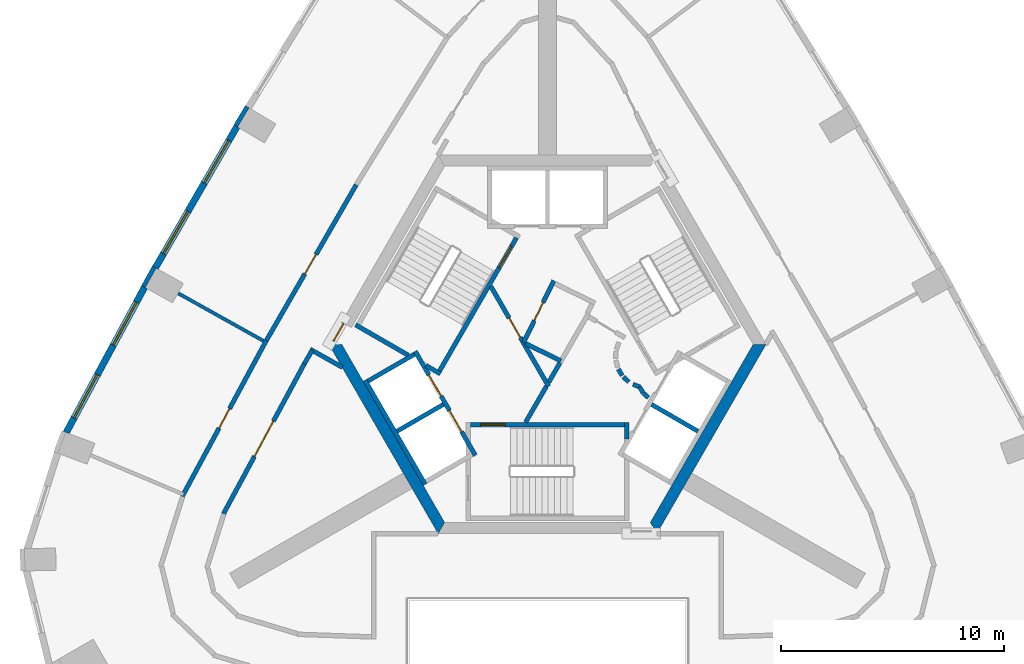
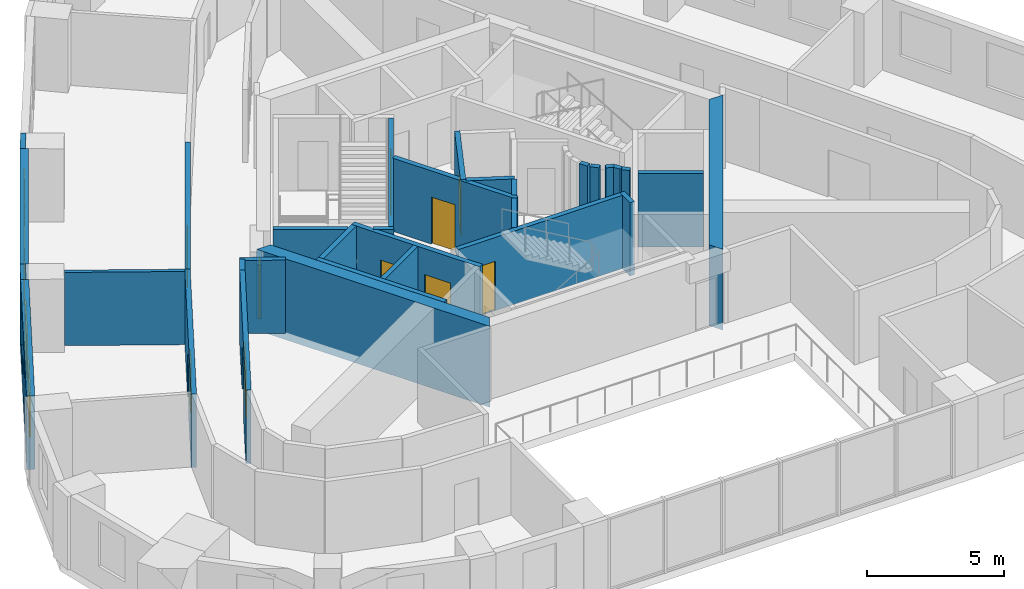
# One storey, part 4 of 8: 33 walls, 10 doors, 4 windows, 14 openings.
"""IFC4 building model written with IfcOpenShell, lengths in metres."""

from ifc_helpers import new_model, si_unit, direction, frame, frame_2d, origin, place, context, subcontext, project, spatial, polyline, rectangle, outline, extrude, material, layer, layer_set, type_object, element, fill, save


model = new_model("IFC4")

# Units and contexts
model_context = context("Model", 3, precision=1e-05, world=origin(), true_north=direction((0.0, 1.0)))
body_context = subcontext(model_context, "Body", "Model", "MODEL_VIEW")
ifc_project = project(units=[si_unit("LENGTHUNIT", "METRE"), si_unit("AREAUNIT", "SQUARE_METRE"), si_unit("VOLUMEUNIT", "CUBIC_METRE"), si_unit("PLANEANGLEUNIT", "RADIAN"), si_unit("MASSUNIT", "GRAM", prefix="KILO")], contexts=[model_context])

# Site, building, storey
site_placement = place(None, origin())
site = spatial("IfcSite", under=ifc_project, at=site_placement, CompositionType="ELEMENT")
building_placement = place(site_placement, origin())
building = spatial("IfcBuilding", under=site, at=building_placement, Name="Entoto Arch Interchange Tower", CompositionType="ELEMENT")
storey_placement = place(building_placement, frame((0.0, 0.0, 311.60009765625)))
storey = spatial("IfcBuildingStorey", under=building, at=storey_placement, Name="L73", CompositionType="ELEMENT", Elevation=311.60009765625)

# Wall, opening, door
ifc_material_1 = material(Name="Reinforced concrete C40/50", Category="concrete")
ifc_layer_1 = layer(ifc_material_1, 0.199951171875)
ifc_layer_set_1 = layer_set([ifc_layer_1], Name="Reinforced concrete C40/50")
wall_type_1 = type_object("IfcWallType", Name="CORE GAP INFILL WALL", PredefinedType="PARTITIONING", material=ifc_layer_set_1)
wall_1_placement = place(storey_placement, frame((-9.14990234375, 3.451904296875, 0.0), z_axis=(0.0, 0.0, 1.0), x_axis=(-0.500079945886, -0.865979242085, 0.0)))
wall_1 = element("IfcWall", 1, at=wall_1_placement, inside=storey, type_object=wall_type_1, Name="wall:L73:gap3", PredefinedType="PARTITIONING", context=body_context, shape_type="SweptSolid", body=[
    extrude(rectangle(XDim=0.926025390625, YDim=0.199951171875, at=frame_2d((0.462890625, 0.0))), origin(), (0.0, 0.0, 1.0), 2.39990234375),
])
opening_1_placement = place(wall_1_placement, frame((0.01708984375, 0.0, 0.0)))
opening_1 = element("IfcOpeningElement", 2, at=opening_1_placement, cuts=wall_1, Name="Opening L73-D93", PredefinedType="OPENING", context=body_context, shape_type="SweptSolid", body=[
    extrude(rectangle(XDim=0.89990234375, YDim=2.10009765625, at=frame_2d((0.449951171875, 1.050048828125))), frame((0.0, 0.10986328125, 0.0), z_axis=(0.0, -1.0, 0.0), x_axis=(1.0, 0.0, 0.0)), (0.0, 0.0, 1.0), 0.219970703125),
])
ifc_material_2 = material(Name="Fire-rated Steel S235 door and frame", Category="steel")
door_type_1 = type_object("IfcDoorType", Name="DOOR FD-09 900x2100", OperationType="SINGLE_SWING_LEFT", PredefinedType="DOOR", material=ifc_material_2)
door_1_placement = place(opening_1_placement, origin())
door_1 = element("IfcDoor", 3, at=door_1_placement, inside=storey, type_object=door_type_1, Name="door:L73:gap3", OperationType="SINGLE_SWING_LEFT", OverallHeight=2.10009765625, OverallWidth=0.89990234375, PredefinedType="DOOR", context=body_context, shape_type="SweptSolid", body=[
    extrude(rectangle(XDim=0.89990234375, YDim=2.10009765625, at=frame_2d((0.449951171875, 1.050048828125))), frame((0.0, 0.02490234375, 0.0), z_axis=(0.0, -1.0, 0.0), x_axis=(1.0, 0.0, 0.0)), (0.0, 0.0, 1.0), 0.050048828125),
])
fill(opening_1, door_1)

# Walls
ifc_material_3 = material(Name="Concrete C40/50", Category="concrete")
ifc_layer_2 = layer(ifc_material_3, 0.5)
ifc_layer_set_2 = layer_set([ifc_layer_2], Name="Concrete C40/50")
wall_type_2 = type_object("IfcWallType", Name="Core wall 500 C40/50", PredefinedType="SHEAR", material=ifc_layer_set_2)
wall_2_placement = place(storey_placement, frame((0.0, 0.0, -0.340087890625)))
element("IfcWall", 4, at=wall_2_placement, inside=storey, type_object=wall_type_2, Name="Core wall SW L73", PredefinedType="SHEAR", context=body_context, shape_type="SweptSolid", body=[
    extrude(outline(polyline([(-9.81494140625, 2.5), (-4.906982421875, -6.0), (-4.618896484375, -5.5), (-9.238037109375, 2.5), (-9.81494140625, 2.5)])), origin(), (0.0, 0.0, 1.0), 3.60009765625),
])
wall_3_placement = place(storey_placement, frame((0.0, 0.0, -0.340087890625)))
element("IfcWall", 5, at=wall_3_placement, inside=storey, type_object=wall_type_2, Name="Core wall SE L73", PredefinedType="SHEAR", context=body_context, shape_type="SweptSolid", body=[
    extrude(outline(polyline([(4.906982421875, -6.0), (9.81494140625, 2.5), (9.238037109375, 2.5), (4.618896484375, -5.5), (4.906982421875, -6.0)])), origin(), (0.0, 0.0, 1.0), 3.60009765625),
])

# Wall, openings, doors
ifc_layer_3 = layer(ifc_material_3, 0.199951171875)
ifc_layer_set_3 = layer_set([ifc_layer_3], Name="Concrete C40/50")
wall_type_3 = type_object("IfcWallType", Name="LIFT SHAFT WALL 200", PredefinedType="STANDARD", material=ifc_layer_set_3)
wall_4_placement = place(storey_placement, frame((-5.93994140625, 2.18798828125, 0.0), z_axis=(0.0, 0.0, 1.0), x_axis=(0.500034260056, -0.866005622828, 0.0)))
wall_4 = element("IfcWall", 6, at=wall_4_placement, inside=storey, type_object=wall_type_3, Name="Shaft wall SW1 front", PredefinedType="STANDARD", context=body_context, shape_type="SweptSolid", body=[
    extrude(rectangle(XDim=5.3994140625, YDim=0.199951171875, at=frame_2d((2.69970703125, 0.0))), origin(), (0.0, 0.0, 1.0), 3.260009765625),
])
opening_2_placement = place(wall_4_placement, frame((3.074951171875, 0.0, 0.0)))
opening_2 = element("IfcOpeningElement", 7, at=opening_2_placement, cuts=wall_4, Name="Opening LD-HR4-L73", PredefinedType="OPENING", context=body_context, shape_type="SweptSolid", body=[
    extrude(rectangle(XDim=1.10009765625, YDim=2.10009765625, at=frame_2d((0.550048828125, 1.050048828125))), frame((0.0, 0.10986328125, 0.0), z_axis=(0.0, -1.0, 0.0), x_axis=(1.0, 0.0, 0.0)), (0.0, 0.0, 1.0), 0.219970703125),
])
opening_3_placement = place(wall_4_placement, frame((1.22509765625, 0.0, 0.0)))
opening_3 = element("IfcOpeningElement", 8, at=opening_3_placement, cuts=wall_4, Name="Opening LD-FF2-L73", PredefinedType="OPENING", context=body_context, shape_type="SweptSolid", body=[
    extrude(rectangle(XDim=1.10009765625, YDim=2.10009765625, at=frame_2d((0.550048828125, 1.050048828125))), frame((0.0, 0.10986328125, 0.0), z_axis=(0.0, -1.0, 0.0), x_axis=(1.0, 0.0, 0.0)), (0.0, 0.0, 1.0), 0.219970703125),
])
ifc_material_4 = material(Name="Stainless steel 1.4301 panels", Category="steel")
door_type_2 = type_object("IfcDoorType", Name="LIFT LANDING DOOR LD1 1100x2100", OperationType="SLIDING_TO_LEFT", PredefinedType="DOOR", material=ifc_material_4)
door_2_placement = place(opening_2_placement, origin())
door_2 = element("IfcDoor", 9, at=door_2_placement, inside=storey, type_object=door_type_2, Name="Lift landing door HR4 L73", OperationType="SLIDING_TO_LEFT", OverallHeight=2.10009765625, OverallWidth=1.10009765625, PredefinedType="DOOR", context=body_context, shape_type="SweptSolid", body=[
    extrude(rectangle(XDim=1.10009765625, YDim=2.10009765625, at=frame_2d((0.550048828125, 1.050048828125))), frame((0.0, 0.02490234375, 0.0), z_axis=(0.0, -1.0, 0.0), x_axis=(1.0, 0.0, 0.0)), (0.0, 0.0, 1.0), 0.050048828125),
])
fill(opening_2, door_2)
door_3_placement = place(opening_3_placement, origin())
door_3 = element("IfcDoor", 10, at=door_3_placement, inside=storey, type_object=door_type_2, Name="Lift landing door FF2 L73", OperationType="SLIDING_TO_LEFT", OverallHeight=2.10009765625, OverallWidth=1.10009765625, PredefinedType="DOOR", context=body_context, shape_type="SweptSolid", body=[
    extrude(rectangle(XDim=1.10009765625, YDim=2.10009765625, at=frame_2d((0.550048828125, 1.050048828125))), frame((0.0, 0.02490234375, 0.0), z_axis=(0.0, -1.0, 0.0), x_axis=(1.0, 0.0, 0.0)), (0.0, 0.0, 1.0), 0.050048828125),
])
fill(opening_3, door_3)

# Walls
wall_5_placement = place(storey_placement, frame((-8.19189453125, 0.887939453125, 0.0), z_axis=(0.0, 0.0, 1.0), x_axis=(0.500034260056, -0.866005622828, 0.0)))
element("IfcWall", 11, at=wall_5_placement, inside=storey, type_object=wall_type_3, Name="Shaft wall SW1 back", PredefinedType="STANDARD", context=body_context, shape_type="SweptSolid", body=[
    extrude(rectangle(XDim=5.3994140625, YDim=0.199951171875, at=frame_2d((2.69970703125, 0.0))), origin(), (0.0, 0.0, 1.0), 3.260009765625),
])
for number, where, z_axis, x_axis, name in (
    (12, (-5.97705078125, 2.052001953125, 0.0), (0.0, 0.0, 1.0), (-0.865973769406, -0.500089422704, 0.0), "Shaft wall SW1 cross 1"),
    (13, (-4.677001953125, -0.199951171875, 0.0), (0.0, 0.0, 1.0), (-0.865973769406, -0.500089422704, 0.0), "Shaft wall SW1 cross 2"),
    (14, (4.677001953125, -0.199951171875, 0.0), (0.0, 0.0, 1.0), (0.865973769406, -0.500089422704, 0.0), "Shaft wall SE1 cross 2"),
):
    element("IfcWall", number, at=place(storey_placement, frame(where, z_axis=z_axis, x_axis=x_axis)), inside=storey, type_object=wall_type_3, Name=name, PredefinedType="STANDARD", context=body_context, shape_type="SweptSolid", body=[
        extrude(rectangle(XDim=2.3994140625, YDim=0.199951171875, at=frame_2d((1.19970703125, 0.0))), origin(), (0.0, 0.0, 1.0), 3.260009765625),
    ])
ifc_material_5 = material(Name="Gypsum board partition on steel studs", Category="steel")
ifc_layer_4 = layer(ifc_material_5, 0.14990234375)
ifc_layer_set_4 = layer_set([ifc_layer_4], Name="Gypsum board partition on steel studs")
wall_type_4 = type_object("IfcWallType", Name="PARTITION 150", PredefinedType="PARTITIONING", material=ifc_layer_set_4)
wall_6_placement = place(storey_placement, frame((-12.7509765625, 2.654052734375, 0.0), z_axis=(0.0, 0.0, 1.0), x_axis=(-0.873277679945, 0.487222837837, 0.0)))
element("IfcWall", 15, at=wall_6_placement, inside=storey, type_object=wall_type_4, Name="wall:L73:p073", PredefinedType="PARTITIONING", context=body_context, shape_type="SweptSolid", body=[
    extrude(rectangle(XDim=4.3798828125, YDim=0.14990234375, at=frame_2d((2.18994140625, 0.0))), origin(), (0.0, 0.0, 1.0), 3.260009765625),
])

# Wall, opening, door
ifc_layer_5 = layer(ifc_material_5, 0.199951171875)
ifc_layer_set_5 = layer_set([ifc_layer_5], Name="Gypsum board partition on steel studs")
wall_type_5 = type_object("IfcWallType", Name="PARTITION 200", PredefinedType="PARTITIONING", material=ifc_layer_set_5)
wall_7_placement = place(storey_placement, frame((0.284912109375, 5.364990234375, 0.0), z_axis=(0.0, 0.0, 1.0), x_axis=(-0.43840190643, -0.898779043168, 0.0)))
wall_7 = element("IfcWall", 16, at=wall_7_placement, inside=storey, type_object=wall_type_5, Name="wall:L73:p004", PredefinedType="PARTITIONING", context=body_context, shape_type="SweptSolid", body=[
    extrude(rectangle(XDim=3.099609375, YDim=0.199951171875, at=frame_2d((1.5498046875, 0.0))), origin(), (0.0, 0.0, 1.0), 3.260009765625),
])
opening_4_placement = place(wall_7_placement, frame((1.10009765625, 0.0, 0.0)))
opening_4 = element("IfcOpeningElement", 17, at=opening_4_placement, cuts=wall_7, Name="Opening L73-D14", PredefinedType="OPENING", context=body_context, shape_type="SweptSolid", body=[
    extrude(rectangle(XDim=0.89990234375, YDim=2.10009765625, at=frame_2d((0.449951171875, 1.050048828125))), frame((0.0, 0.10986328125, 0.0), z_axis=(0.0, -1.0, 0.0), x_axis=(1.0, 0.0, 0.0)), (0.0, 0.0, 1.0), 0.219970703125),
])
ifc_material_6 = material(Name="Timber door leaf in Steel S235 frame", Category="steel")
door_type_3 = type_object("IfcDoorType", Name="DOOR DS-09 900x2100", OperationType="SINGLE_SWING_LEFT", PredefinedType="DOOR", material=ifc_material_6)
door_4_placement = place(opening_4_placement, origin())
door_4 = element("IfcDoor", 18, at=door_4_placement, inside=storey, type_object=door_type_3, Name="door:L73:14", OperationType="SINGLE_SWING_RIGHT", OverallHeight=2.10009765625, OverallWidth=0.89990234375, PredefinedType="DOOR", context=body_context, shape_type="SweptSolid", body=[
    extrude(rectangle(XDim=0.89990234375, YDim=2.10009765625, at=frame_2d((0.449951171875, 1.050048828125))), frame((0.0, 0.02490234375, 0.0), z_axis=(0.0, -1.0, 0.0), x_axis=(1.0, 0.0, 0.0)), (0.0, 0.0, 1.0), 0.050048828125),
])
fill(opening_4, door_4)

# Walls
wall_8_placement = place(storey_placement, frame((-0.98388671875, 2.534912109375, 0.0), z_axis=(0.0, 0.0, 1.0), x_axis=(0.898707583217, -0.438548378025, 0.0)))
element("IfcWall", 19, at=wall_8_placement, inside=storey, type_object=wall_type_5, Name="wall:L73:p005", PredefinedType="PARTITIONING", context=body_context, shape_type="SweptSolid", body=[
    extrude(rectangle(XDim=1.773681640625, YDim=0.199951171875, at=frame_2d((0.88671875, 0.0))), origin(), (0.0, 0.0, 1.0), 3.260009765625),
])
wall_9_placement = place(storey_placement, frame((-9.202880859375, 1.465087890625, 0.0), z_axis=(0.0, 0.0, 1.0), x_axis=(-0.872341127106, 0.488897696823, 0.0)))
element("IfcWall", 20, at=wall_9_placement, inside=storey, type_object=wall_type_5, Name="wall:L73:p022", PredefinedType="PARTITIONING", context=body_context, shape_type="SweptSolid", body=[
    extrude(rectangle(XDim=1.6669921875, YDim=0.199951171875, at=frame_2d((0.83349609375, 0.0))), origin(), (0.0, 0.0, 1.0), 3.260009765625),
])
wall_10_placement = place(storey_placement, frame((-10.570068359375, 2.23193359375, 0.0), z_axis=(0.0, 0.0, 1.0), x_axis=(-0.500037208726, -0.86600392025, 0.0)))
element("IfcWall", 21, at=wall_10_placement, inside=storey, type_object=wall_type_5, Name="wall:L73:p023", PredefinedType="PARTITIONING", context=body_context, shape_type="SweptSolid", body=[
    extrude(rectangle(XDim=0.69384765625, YDim=0.199951171875, at=frame_2d((0.346923828125, 0.0))), origin(), (0.0, 0.0, 1.0), 3.260009765625),
])

# Wall, opening, door
wall_11_placement = place(storey_placement, frame((-10.9169921875, 1.631103515625, 0.0), z_axis=(0.0, 0.0, 1.0), x_axis=(-0.47449538478, -0.880257990491, 0.0)))
wall_11 = element("IfcWall", 22, at=wall_11_placement, inside=storey, type_object=wall_type_5, Name="wall:L73:p024", PredefinedType="PARTITIONING", context=body_context, shape_type="SweptSolid", body=[
    extrude(rectangle(XDim=7.654541015625, YDim=0.199951171875, at=frame_2d((3.8271484375, 0.0))), origin(), (0.0, 0.0, 1.0), 3.260009765625),
])
opening_5_placement = place(wall_11_placement, frame((2.927001953125, 0.0, 0.0)))
opening_5 = element("IfcOpeningElement", 23, at=opening_5_placement, cuts=wall_11, Name="Opening L73-D11", PredefinedType="OPENING", context=body_context, shape_type="SweptSolid", body=[
    extrude(rectangle(XDim=1.800048828125, YDim=2.10009765625, at=frame_2d((0.89990234375, 1.050048828125))), frame((0.0, 0.10986328125, 0.0), z_axis=(0.0, -1.0, 0.0), x_axis=(1.0, 0.0, 0.0)), (0.0, 0.0, 1.0), 0.219970703125),
])
door_type_4 = type_object("IfcDoorType", Name="DOOR DD-18 1800x2100", OperationType="DOUBLE_DOOR_SINGLE_SWING", PredefinedType="DOOR", material=ifc_material_6)
door_5_placement = place(opening_5_placement, origin())
door_5 = element("IfcDoor", 24, at=door_5_placement, inside=storey, type_object=door_type_4, Name="door:L73:11", OperationType="DOUBLE_DOOR_SINGLE_SWING", OverallHeight=2.10009765625, OverallWidth=1.800048828125, PredefinedType="DOOR", context=body_context, shape_type="SweptSolid", body=[
    extrude(rectangle(XDim=1.800048828125, YDim=2.10009765625, at=frame_2d((0.89990234375, 1.050048828125))), frame((0.0, 0.02490234375, 0.0), z_axis=(0.0, -1.0, 0.0), x_axis=(1.0, 0.0, 0.0)), (0.0, 0.0, 1.0), 0.050048828125),
])
fill(opening_5, door_5)

wall_12_placement = place(storey_placement, frame((-12.700927734375, 2.5400390625, 0.0), z_axis=(0.0, 0.0, 1.0), x_axis=(0.499946799636, 0.86605611685, 0.0)))
wall_12 = element("IfcWall", 25, at=wall_12_placement, inside=storey, type_object=wall_type_5, Name="wall:L73:p042", PredefinedType="PARTITIONING", context=body_context, shape_type="SweptSolid", body=[
    extrude(rectangle(XDim=8.22705078125, YDim=0.199951171875, at=frame_2d((4.113525390625, 0.0))), origin(), (0.0, 0.0, 1.0), 3.260009765625),
])
opening_6_placement = place(wall_12_placement, frame((3.613037109375, 0.0, 0.0)))
opening_6 = element("IfcOpeningElement", 26, at=opening_6_placement, cuts=wall_12, Name="Opening L73-D05", PredefinedType="OPENING", context=body_context, shape_type="SweptSolid", body=[
    extrude(rectangle(XDim=1.0, YDim=2.10009765625, at=frame_2d((0.5, 1.050048828125))), frame((0.0, 0.10986328125, 0.0), z_axis=(0.0, -1.0, 0.0), x_axis=(1.0, 0.0, 0.0)), (0.0, 0.0, 1.0), 0.219970703125),
])
door_type_5 = type_object("IfcDoorType", Name="DOOR DS-10 1000x2100", OperationType="SINGLE_SWING_LEFT", PredefinedType="DOOR", material=ifc_material_6)
door_6_placement = place(opening_6_placement, origin())
door_6 = element("IfcDoor", 27, at=door_6_placement, inside=storey, type_object=door_type_5, Name="door:L73:05", OperationType="SINGLE_SWING_RIGHT", OverallHeight=2.10009765625, OverallWidth=1.0, PredefinedType="DOOR", context=body_context, shape_type="SweptSolid", body=[
    extrude(rectangle(XDim=1.0, YDim=2.10009765625, at=frame_2d((0.5, 1.050048828125))), frame((0.0, 0.02490234375, 0.0), z_axis=(0.0, -1.0, 0.0), x_axis=(1.0, 0.0, 0.0)), (0.0, 0.0, 1.0), 0.050048828125),
])
fill(opening_6, door_6)

wall_13_placement = place(storey_placement, frame((-16.39892578125, -4.324951171875, 0.0), z_axis=(0.0, 0.0, 1.0), x_axis=(0.474489967676, 0.880260910512, 0.0)))
wall_13 = element("IfcWall", 28, at=wall_13_placement, inside=storey, type_object=wall_type_5, Name="wall:L73:p044", PredefinedType="PARTITIONING", context=body_context, shape_type="SweptSolid", body=[
    extrude(rectangle(XDim=7.947509765625, YDim=0.199951171875, at=frame_2d((3.9736328125, 0.0))), origin(), (0.0, 0.0, 1.0), 3.260009765625),
])
opening_7_placement = place(wall_13_placement, frame((3.47412109375, 0.0, 0.0)))
opening_7 = element("IfcOpeningElement", 29, at=opening_7_placement, cuts=wall_13, Name="Opening L73-D06", PredefinedType="OPENING", context=body_context, shape_type="SweptSolid", body=[
    extrude(rectangle(XDim=1.0, YDim=2.10009765625, at=frame_2d((0.5, 1.050048828125))), frame((0.0, 0.10986328125, 0.0), z_axis=(0.0, -1.0, 0.0), x_axis=(1.0, 0.0, 0.0)), (0.0, 0.0, 1.0), 0.219970703125),
])
door_7_placement = place(opening_7_placement, origin())
door_7 = element("IfcDoor", 30, at=door_7_placement, inside=storey, type_object=door_type_5, Name="door:L73:06", OperationType="SINGLE_SWING_LEFT", OverallHeight=2.10009765625, OverallWidth=1.0, PredefinedType="DOOR", context=body_context, shape_type="SweptSolid", body=[
    extrude(rectangle(XDim=1.0, YDim=2.10009765625, at=frame_2d((0.5, 1.050048828125))), frame((0.0, 0.02490234375, 0.0), z_axis=(0.0, -1.0, 0.0), x_axis=(1.0, 0.0, 0.0)), (0.0, 0.0, 1.0), 0.050048828125),
])
fill(opening_7, door_7)

# Walls
wall_14_placement = place(storey_placement, frame((-0.98193359375, -1.0, 0.0), z_axis=(0.0, 0.0, 1.0), x_axis=(0.50024047865, 0.865886518847, 0.0)))
element("IfcWall", 31, at=wall_14_placement, inside=storey, type_object=wall_type_5, Name="wall:L73:p050", PredefinedType="PARTITIONING", context=body_context, shape_type="SweptSolid", body=[
    extrude(rectangle(XDim=1.86279296875, YDim=0.199951171875, at=frame_2d((0.931396484375, 0.0))), origin(), (0.0, 0.0, 1.0), 3.260009765625),
])
wall_15_placement = place(storey_placement, frame((0.050048828125, 0.787109375, 0.0), z_axis=(0.0, 0.0, 1.0), x_axis=(0.499819111317, 0.866129814729, 0.0)))
element("IfcWall", 32, at=wall_15_placement, inside=storey, type_object=wall_type_5, Name="wall:L73:p051", PredefinedType="PARTITIONING", context=body_context, shape_type="SweptSolid", body=[
    extrude(rectangle(XDim=1.0205078125, YDim=0.199951171875, at=frame_2d((0.51025390625, 0.0))), origin(), (0.0, 0.0, 1.0), 3.260009765625),
])
for number, where, z_axis, x_axis, name in (
    (33, (3.181884765625, 1.387939453125, 0.0), (0.0, 0.0, 1.0), (0.512474702713, -0.85870232274, 0.0), "wall:L73:p056"),
    (34, (3.404052734375, 1.0390625, 0.0), (0.0, 0.0, 1.0), (0.740267097712, -0.672312891476, 0.0), "wall:L73:p057"),
):
    element("IfcWall", number, at=place(storey_placement, frame(where, z_axis=z_axis, x_axis=x_axis)), inside=storey, type_object=wall_type_5, Name=name, PredefinedType="PARTITIONING", context=body_context, shape_type="SweptSolid", body=[
        extrude(rectangle(XDim=0.337646484375, YDim=0.199951171875, at=frame_2d((0.1689453125, 0.0))), origin(), (0.0, 0.0, 1.0), 3.260009765625),
    ])
wall_16_placement = place(storey_placement, frame((3.837890625, 0.701904296875, 0.0), z_axis=(0.0, 0.0, 1.0), x_axis=(0.941035081519, -0.338308993895, 0.0)))
element("IfcWall", 35, at=wall_16_placement, inside=storey, type_object=wall_type_5, Name="wall:L73:p058", PredefinedType="PARTITIONING", context=body_context, shape_type="SweptSolid", body=[
    extrude(rectangle(XDim=0.3369140625, YDim=0.199951171875, at=frame_2d((0.16845703125, 0.0))), origin(), (0.0, 0.0, 1.0), 3.260009765625),
])
wall_17_placement = place(storey_placement, frame((4.132080078125, 0.593017578125, 0.0), z_axis=(0.0, 0.0, 1.0), x_axis=(0.513561617048, -0.858052717201, 0.0)))
element("IfcWall", 36, at=wall_17_placement, inside=storey, type_object=wall_type_5, Name="wall:L73:p059", PredefinedType="PARTITIONING", context=body_context, shape_type="SweptSolid", body=[
    extrude(rectangle(XDim=0.3076171875, YDim=0.199951171875, at=frame_2d((0.15380859375, 0.0))), origin(), (0.0, 0.0, 1.0), 3.260009765625),
])
wall_18_placement = place(storey_placement, frame((4.301025390625, 0.31494140625, 0.0), z_axis=(0.0, 0.0, 1.0), x_axis=(0.741798017506, -0.670623367639, 0.0)))
element("IfcWall", 37, at=wall_18_placement, inside=storey, type_object=wall_type_5, Name="wall:L73:p060", PredefinedType="PARTITIONING", context=body_context, shape_type="SweptSolid", body=[
    extrude(rectangle(XDim=0.30859375, YDim=0.199951171875, at=frame_2d((0.154296875, 0.0))), origin(), (0.0, 0.0, 1.0), 3.260009765625),
])

# Wall, opening, door
wall_19_placement = place(storey_placement, frame((-2.5400390625, 5.10009765625, 0.0), z_axis=(0.0, 0.0, 1.0), x_axis=(0.499925051871, -0.866068670783, 0.0)))
wall_19 = element("IfcWall", 38, at=wall_19_placement, inside=storey, type_object=wall_type_5, Name="wall:L73:p061", PredefinedType="PARTITIONING", context=body_context, shape_type="SweptSolid", body=[
    extrude(rectangle(XDim=5.180908203125, YDim=0.199951171875, at=frame_2d((2.59033203125, 0.0))), origin(), (0.0, 0.0, 1.0), 3.260009765625),
])
opening_8_placement = place(wall_19_placement, frame((1.639892578125, 0.0, 0.0)))
opening_8 = element("IfcOpeningElement", 39, at=opening_8_placement, cuts=wall_19, Name="Opening L73-D13", PredefinedType="OPENING", context=body_context, shape_type="SweptSolid", body=[
    extrude(rectangle(XDim=1.0, YDim=2.10009765625, at=frame_2d((0.5, 1.050048828125))), frame((0.0, 0.10986328125, 0.0), z_axis=(0.0, -1.0, 0.0), x_axis=(1.0, 0.0, 0.0)), (0.0, 0.0, 1.0), 0.219970703125),
])
door_type_6 = type_object("IfcDoorType", Name="DOOR FD-10 1000x2100", OperationType="SINGLE_SWING_LEFT", PredefinedType="DOOR", material=ifc_material_2)
door_8_placement = place(opening_8_placement, origin())
door_8 = element("IfcDoor", 40, at=door_8_placement, inside=storey, type_object=door_type_6, Name="door:L73:13", OperationType="SINGLE_SWING_RIGHT", OverallHeight=2.10009765625, OverallWidth=1.0, PredefinedType="DOOR", context=body_context, shape_type="SweptSolid", body=[
    extrude(rectangle(XDim=1.0, YDim=2.10009765625, at=frame_2d((0.5, 1.050048828125))), frame((0.0, 0.02490234375, 0.0), z_axis=(0.0, -1.0, 0.0), x_axis=(1.0, 0.0, 0.0)), (0.0, 0.0, 1.0), 0.050048828125),
])
fill(opening_8, door_8)

# Wall
ifc_layer_6 = layer(ifc_material_3, 0.199951171875)
ifc_layer_set_6 = layer_set([ifc_layer_6], Name="Concrete C40/50")
wall_type_6 = type_object("IfcWallType", Name="STAIR ENCLOSURE WALL 200", PredefinedType="STANDARD", material=ifc_layer_set_6)
wall_20_placement = place(storey_placement, frame((3.550048828125, -1.0, 0.0), z_axis=(0.0, 0.0, 1.0), x_axis=(0.0, -1.0, 0.0)))
element("IfcWall", 41, at=wall_20_placement, inside=storey, type_object=wall_type_6, Name="Stair wall ST-S far return", PredefinedType="STANDARD", context=body_context, shape_type="SweptSolid", body=[
    extrude(rectangle(XDim=0.7509765625, YDim=0.199951171875, at=frame_2d((0.37548828125, 0.0))), origin(), (0.0, 0.0, 1.0), 3.260009765625),
])

# Wall, opening, door
wall_21_placement = place(storey_placement, frame((-3.449951171875, -1.10009765625, 0.0), z_axis=(0.0, 0.0, 1.0), x_axis=(1.0, 0.0, 0.0)))
wall_21 = element("IfcWall", 42, at=wall_21_placement, inside=storey, type_object=wall_type_6, Name="Stair wall ST-S hall", PredefinedType="STANDARD", context=body_context, shape_type="SweptSolid", body=[
    extrude(rectangle(XDim=6.89990234375, YDim=0.199951171875, at=frame_2d((3.449951171875, 0.0))), origin(), (0.0, 0.0, 1.0), 3.260009765625),
])
opening_9_placement = place(wall_21_placement, frame((0.449951171875, 0.0, 0.0)))
opening_9 = element("IfcOpeningElement", 43, at=opening_9_placement, cuts=wall_21, Name="Opening SD-ST-S-L73", PredefinedType="OPENING", context=body_context, shape_type="SweptSolid", body=[
    extrude(rectangle(XDim=1.10009765625, YDim=2.199951171875, at=frame_2d((0.550048828125, 1.10009765625))), frame((0.0, 0.10986328125, 0.0), z_axis=(0.0, -1.0, 0.0), x_axis=(1.0, 0.0, 0.0)), (0.0, 0.0, 1.0), 0.219970703125),
])
ifc_material_7 = material(Name="Steel S235", Category="steel")
door_type_7 = type_object("IfcDoorType", Name="STAIR DOOR SD1 1100x2200", OperationType="SINGLE_SWING_LEFT", PredefinedType="DOOR", material=ifc_material_7)
door_9_placement = place(opening_9_placement, origin())
door_9 = element("IfcDoor", 44, at=door_9_placement, inside=storey, type_object=door_type_7, Name="Stair door ST-S L73", OperationType="SINGLE_SWING_LEFT", OverallHeight=2.199951171875, OverallWidth=1.10009765625, PredefinedType="DOOR", context=body_context, shape_type="SweptSolid", body=[
    extrude(rectangle(XDim=1.10009765625, YDim=2.199951171875, at=frame_2d((0.550048828125, 1.10009765625))), frame((0.0, 0.02490234375, 0.0), z_axis=(0.0, -1.0, 0.0), x_axis=(1.0, 0.0, 0.0)), (0.0, 0.0, 1.0), 0.050048828125),
])
fill(opening_9, door_9)

# Walls
wall_22_placement = place(storey_placement, frame((-6.25, 2.010009765625, 0.0), z_axis=(0.0, 0.0, 1.0), x_axis=(-0.86611865017, 0.499838457731, 0.0)))
element("IfcWall", 45, at=wall_22_placement, inside=storey, type_object=wall_type_6, Name="Stair wall ST-NW far", PredefinedType="STANDARD", context=body_context, shape_type="SweptSolid", body=[
    extrude(rectangle(XDim=2.73291015625, YDim=0.199951171875, at=frame_2d((1.366455078125, 0.0))), origin(), (0.0, 0.0, 1.0), 3.260009765625),
])
wall_23_placement = place(storey_placement, frame((-4.805908203125, 1.176025390625, 0.0), z_axis=(0.0, 0.0, 1.0), x_axis=(-0.866558586415, 0.499075361355, 0.0)))
element("IfcWall", 46, at=wall_23_placement, inside=storey, type_object=wall_type_6, Name="Stair wall ST-NW far return", PredefinedType="STANDARD", context=body_context, shape_type="SweptSolid", body=[
    extrude(rectangle(XDim=0.75146484375, YDim=0.199951171875, at=frame_2d((0.375732421875, 0.0))), origin(), (0.0, 0.0, 1.0), 3.260009765625),
])

# Wall, opening, door
wall_24_placement = place(storey_placement, frame((-1.39306640625, 7.2880859375, 0.0), z_axis=(0.0, 0.0, 1.0), x_axis=(-0.499963383562, -0.866046543262, 0.0)))
wall_24 = element("IfcWall", 47, at=wall_24_placement, inside=storey, type_object=wall_type_6, Name="Stair wall ST-NW hall", PredefinedType="STANDARD", context=body_context, shape_type="SweptSolid", body=[
    extrude(rectangle(XDim=6.900390625, YDim=0.199951171875, at=frame_2d((3.4501953125, 0.0))), origin(), (0.0, 0.0, 1.0), 3.260009765625),
])
opening_10_placement = place(wall_24_placement, frame((0.449951171875, 0.0, 0.0)))
opening_10 = element("IfcOpeningElement", 48, at=opening_10_placement, cuts=wall_24, Name="Opening SD-ST-NW-L73", PredefinedType="OPENING", context=body_context, shape_type="SweptSolid", body=[
    extrude(rectangle(XDim=1.10009765625, YDim=2.199951171875, at=frame_2d((0.550048828125, 1.10009765625))), frame((0.0, 0.10986328125, 0.0), z_axis=(0.0, -1.0, 0.0), x_axis=(1.0, 0.0, 0.0)), (0.0, 0.0, 1.0), 0.219970703125),
])
door_10_placement = place(opening_10_placement, origin())
door_10 = element("IfcDoor", 49, at=door_10_placement, inside=storey, type_object=door_type_7, Name="Stair door ST-NW L73", OperationType="SINGLE_SWING_LEFT", OverallHeight=2.199951171875, OverallWidth=1.10009765625, PredefinedType="DOOR", context=body_context, shape_type="SweptSolid", body=[
    extrude(rectangle(XDim=1.10009765625, YDim=2.199951171875, at=frame_2d((0.550048828125, 1.10009765625))), frame((0.0, 0.02490234375, 0.0), z_axis=(0.0, -1.0, 0.0), x_axis=(1.0, 0.0, 0.0)), (0.0, 0.0, 1.0), 0.050048828125),
])
fill(opening_10, door_10)

# Wall, openings, windows
ifc_material_8 = material(Name="Welded tuff (ignimbrite) cladding, warm buff", Category="masonry")
ifc_layer_7 = layer(ifc_material_8, 0.300048828125)
ifc_layer_set_7 = layer_set([ifc_layer_7], Name="Welded tuff (ignimbrite) cladding, warm buff")
wall_type_7 = type_object("IfcWallType", Name="STONE INFILL WALL 300", PredefinedType="STANDARD", material=ifc_layer_set_7)
wall_25_placement = place(storey_placement, frame((-13.947021484375, 12.282958984375, 0.0), z_axis=(0.0, 0.0, 1.0), x_axis=(-0.499923391538, -0.866069629183, 0.0)))
wall_25 = element("IfcWall", 50, at=wall_25_placement, inside=storey, type_object=wall_type_7, Name="Facade wall NW-02 L73", PredefinedType="STANDARD", context=body_context, shape_type="SweptSolid", body=[
    extrude(rectangle(XDim=7.327392578125, YDim=0.300048828125, at=frame_2d((3.66357421875, 0.0))), origin(), (0.0, 0.0, 1.0), 3.260009765625),
])
opening_11_placement = place(wall_25_placement, frame((0.73193359375, 0.0, 0.89990234375)))
opening_11 = element("IfcOpeningElement", 51, at=opening_11_placement, cuts=wall_25, Name="Opening WH-A", PredefinedType="OPENING", context=body_context, shape_type="SweptSolid", body=[
    extrude(rectangle(XDim=2.199951171875, YDim=2.0, at=frame_2d((1.10009765625, 1.0))), frame((0.0, 0.16015625, 0.0), z_axis=(0.0, -1.0, 0.0), x_axis=(1.0, 0.0, 0.0)), (0.0, 0.0, 1.0), 0.320068359375),
])
opening_12_placement = place(wall_25_placement, frame((4.39501953125, 0.0, 0.89990234375)))
opening_12 = element("IfcOpeningElement", 52, at=opening_12_placement, cuts=wall_25, Name="Opening WH-A", PredefinedType="OPENING", context=body_context, shape_type="SweptSolid", body=[
    extrude(rectangle(XDim=2.199951171875, YDim=2.0, at=frame_2d((1.10009765625, 1.0))), frame((0.0, 0.16015625, 0.0), z_axis=(0.0, -1.0, 0.0), x_axis=(1.0, 0.0, 0.0)), (0.0, 0.0, 1.0), 0.320068359375),
])
ifc_material_9 = material(Name="Clear glass, low-e double glazed", Category="glass")
window_type = type_object("IfcWindowType", Name="WINDOW WH-A 2200x2000", PartitioningType="DOUBLE_PANEL_VERTICAL", PredefinedType="WINDOW", material=ifc_material_9)
window_1_placement = place(opening_11_placement, origin())
window_1 = element("IfcWindow", 53, at=window_1_placement, inside=storey, type_object=window_type, Name="Window WH-A NW-02 L73", OverallHeight=2.0, OverallWidth=2.199951171875, PartitioningType="SINGLE_PANEL", PredefinedType="WINDOW", context=body_context, shape_type="SweptSolid", body=[
    extrude(rectangle(XDim=2.199951171875, YDim=2.0, at=frame_2d((1.10009765625, 1.0))), frame((0.0, 0.030029296875, 0.0), z_axis=(0.0, -1.0, 0.0), x_axis=(1.0, 0.0, 0.0)), (0.0, 0.0, 1.0), 0.06005859375),
])
fill(opening_11, window_1)
window_2_placement = place(opening_12_placement, origin())
window_2 = element("IfcWindow", 54, at=window_2_placement, inside=storey, type_object=window_type, Name="Window WH-A NW-02 L73", OverallHeight=2.0, OverallWidth=2.199951171875, PartitioningType="SINGLE_PANEL", PredefinedType="WINDOW", context=body_context, shape_type="SweptSolid", body=[
    extrude(rectangle(XDim=2.199951171875, YDim=2.0, at=frame_2d((1.10009765625, 1.0))), frame((0.0, 0.030029296875, 0.0), z_axis=(0.0, -1.0, 0.0), x_axis=(1.0, 0.0, 0.0)), (0.0, 0.0, 1.0), 0.06005859375),
])
fill(opening_12, window_2)

wall_26_placement = place(storey_placement, frame((-18.096923828125, 5.06591796875, 0.0), z_axis=(0.0, 0.0, 1.0), x_axis=(-0.474421773145, -0.880297666228, 0.0)))
wall_26 = element("IfcWall", 55, at=wall_26_placement, inside=storey, type_object=wall_type_7, Name="Facade wall NW-03 L73", PredefinedType="STANDARD", context=body_context, shape_type="SweptSolid", body=[
    extrude(rectangle(XDim=7.41552734375, YDim=0.300048828125, at=frame_2d((3.707763671875, 0.0))), origin(), (0.0, 0.0, 1.0), 3.260009765625),
])
opening_13_placement = place(wall_26_placement, frame((0.75390625, 0.0, 0.89990234375)))
opening_13 = element("IfcOpeningElement", 56, at=opening_13_placement, cuts=wall_26, Name="Opening WH-A", PredefinedType="OPENING", context=body_context, shape_type="SweptSolid", body=[
    extrude(rectangle(XDim=2.199951171875, YDim=2.0, at=frame_2d((1.10009765625, 1.0))), frame((0.0, 0.16015625, 0.0), z_axis=(0.0, -1.0, 0.0), x_axis=(1.0, 0.0, 0.0)), (0.0, 0.0, 1.0), 0.320068359375),
])
opening_14_placement = place(wall_26_placement, frame((4.4619140625, 0.0, 0.89990234375)))
opening_14 = element("IfcOpeningElement", 57, at=opening_14_placement, cuts=wall_26, Name="Opening WH-A", PredefinedType="OPENING", context=body_context, shape_type="SweptSolid", body=[
    extrude(rectangle(XDim=2.199951171875, YDim=2.0, at=frame_2d((1.10009765625, 1.0))), frame((0.0, 0.16015625, 0.0), z_axis=(0.0, -1.0, 0.0), x_axis=(1.0, 0.0, 0.0)), (0.0, 0.0, 1.0), 0.320068359375),
])
window_3_placement = place(opening_13_placement, origin())
window_3 = element("IfcWindow", 58, at=window_3_placement, inside=storey, type_object=window_type, Name="Window WH-A NW-03 L73", OverallHeight=2.0, OverallWidth=2.199951171875, PartitioningType="SINGLE_PANEL", PredefinedType="WINDOW", context=body_context, shape_type="SweptSolid", body=[
    extrude(rectangle(XDim=2.199951171875, YDim=2.0, at=frame_2d((1.10009765625, 1.0))), frame((0.0, 0.030029296875, 0.0), z_axis=(0.0, -1.0, 0.0), x_axis=(1.0, 0.0, 0.0)), (0.0, 0.0, 1.0), 0.06005859375),
])
fill(opening_13, window_3)
window_4_placement = place(opening_14_placement, origin())
window_4 = element("IfcWindow", 59, at=window_4_placement, inside=storey, type_object=window_type, Name="Window WH-A NW-03 L73", OverallHeight=2.0, OverallWidth=2.199951171875, PartitioningType="SINGLE_PANEL", PredefinedType="WINDOW", context=body_context, shape_type="SweptSolid", body=[
    extrude(rectangle(XDim=2.199951171875, YDim=2.0, at=frame_2d((1.10009765625, 1.0))), frame((0.0, 0.030029296875, 0.0), z_axis=(0.0, -1.0, 0.0), x_axis=(1.0, 0.0, 0.0)), (0.0, 0.0, 1.0), 0.06005859375),
])
fill(opening_14, window_4)

# Walls
ifc_layer_8 = layer(ifc_material_8, 0.199951171875)
ifc_layer_set_8 = layer_set([ifc_layer_8], Name="Welded tuff (ignimbrite) cladding, warm buff")
wall_type_8 = type_object("IfcWallType", Name="STONE PIER CLADDING 200", PredefinedType="STANDARD", material=ifc_layer_set_8)
wall_27_placement = place(storey_placement, frame((-13.48291015625, 13.169921875, 0.0), z_axis=(0.0, 0.0, 1.0), x_axis=(-0.514064933905, -0.857751271482, 0.0)))
element("IfcWall", 60, at=wall_27_placement, inside=storey, type_object=wall_type_8, Name="Stone pier NW02 L73", PredefinedType="STANDARD", context=body_context, shape_type="SweptSolid", body=[
    extrude(rectangle(XDim=1.000244140625, YDim=0.199951171875, at=frame_2d((0.5, 0.0))), origin(), (0.0, 0.0, 1.0), 3.260009765625),
])
wall_28_placement = place(storey_placement, frame((-17.660888671875, 5.966064453125, 0.0), z_axis=(0.0, 0.0, 1.0), x_axis=(-0.486036693078, -0.873938403425, 0.0)))
element("IfcWall", 61, at=wall_28_placement, inside=storey, type_object=wall_type_8, Name="Stone pier NW03 L73", PredefinedType="STANDARD", context=body_context, shape_type="SweptSolid", body=[
    extrude(rectangle(XDim=1.0, YDim=0.199951171875, at=frame_2d((0.5, 0.0))), origin(), (0.0, 0.0, 1.0), 3.260009765625),
])

save(model, "model.ifc")
